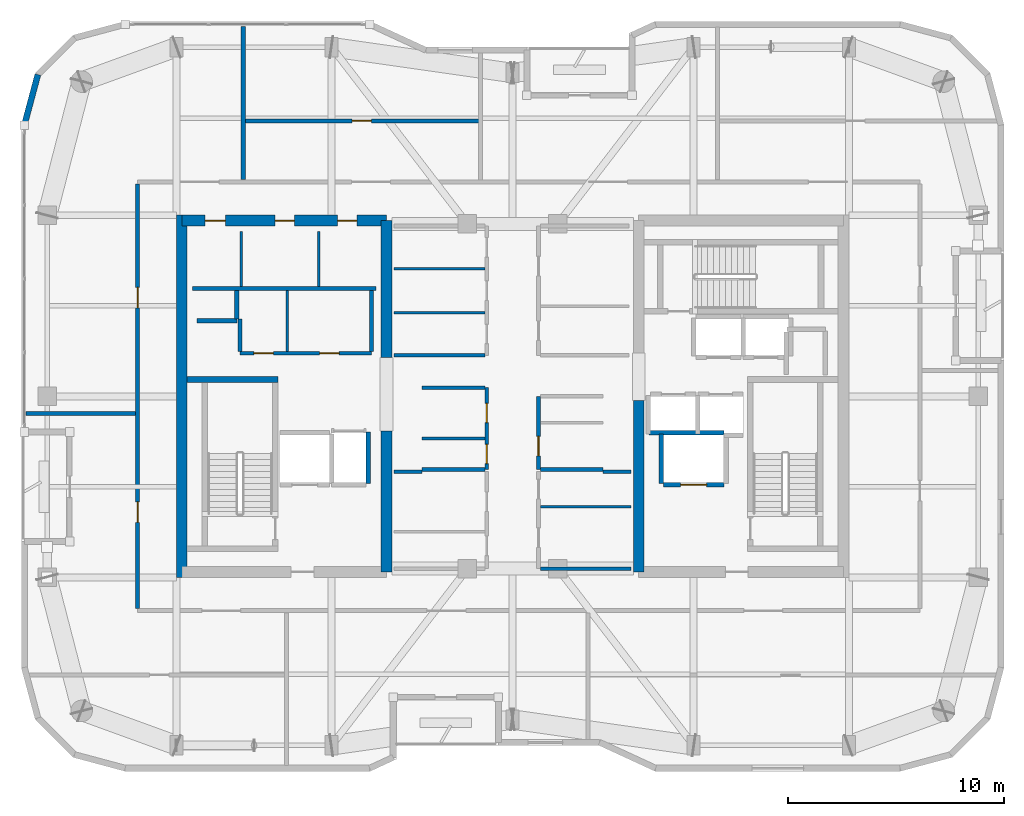
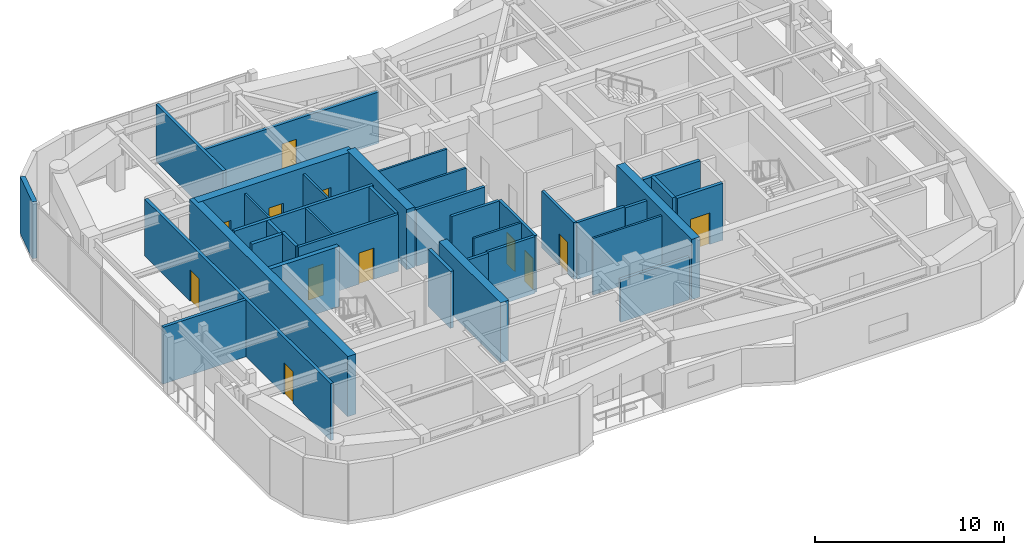
# One storey, part 11 of 16: 37 walls, 12 doors, 12 openings.
"""IFC4 building model written with IfcOpenShell, lengths in metres."""

from ifc_helpers import new_model, si_unit, direction, frame, frame_2d, origin, place, context, subcontext, project, spatial, rectangle, extrude, material, layer, layer_set, type_object, element, fill, save


model = new_model("IFC4")

# Units and contexts
model_context = context("Model", 3, precision=1e-05, world=origin(), true_north=direction((0.0, 1.0)))
body_context = subcontext(model_context, "Body", "Model", "MODEL_VIEW")
ifc_project = project(units=[si_unit("LENGTHUNIT", "METRE"), si_unit("AREAUNIT", "SQUARE_METRE"), si_unit("VOLUMEUNIT", "CUBIC_METRE"), si_unit("PLANEANGLEUNIT", "RADIAN"), si_unit("MASSUNIT", "GRAM", prefix="KILO")], contexts=[model_context])

# Site, building, storey
site_placement = place(None, origin())
site = spatial("IfcSite", under=ifc_project, at=site_placement, CompositionType="ELEMENT")
building_placement = place(site_placement, origin())
building = spatial("IfcBuilding", under=site, at=building_placement, Name="Kiyonajd Concourse Tower", CompositionType="ELEMENT")
storey_placement = place(building_placement, frame((0.0, 0.0, 325.800048828125)))
storey = spatial("IfcBuildingStorey", under=building, at=storey_placement, Name="L82", CompositionType="ELEMENT", Elevation=325.800048828125)

# Walls
ifc_material_1 = material(Name="Concrete C60/75", Category="concrete")
ifc_layer_1 = layer(ifc_material_1, 0.5)
ifc_layer_set_1 = layer_set([ifc_layer_1], Name="Concrete C60/75")
wall_type_1 = type_object("IfcWallType", Name="WL-CORE-500", PredefinedType="SHEAR", material=ifc_layer_set_1)
wall_1_placement = place(storey_placement, frame((32.64990234375, 27.60009765625, 0.0), z_axis=(0.0, 0.0, 1.0), x_axis=(0.0, 1.0, 0.0)))
element("IfcWall", 1, at=wall_1_placement, inside=storey, type_object=wall_type_1, Name="L82 West Core Outer Shear Wall", PredefinedType="SHEAR", context=body_context, shape_type="SweptSolid", body=[
    extrude(rectangle(XDim=16.7998046875, YDim=0.5, at=frame_2d((8.39990234375, 0.0))), origin(), (0.0, 0.0, 1.0), 3.89990234375),
])
wall_2_placement = place(storey_placement, frame((42.14990234375, 27.85009765625, 0.0), z_axis=(0.0, 0.0, 1.0), x_axis=(0.0, 1.0, 0.0)))
element("IfcWall", 2, at=wall_2_placement, inside=storey, type_object=wall_type_1, Name="L82 West Core Inner South Shear Wall", PredefinedType="SHEAR", context=body_context, shape_type="SweptSolid", body=[
    extrude(rectangle(XDim=6.5498046875, YDim=0.5, at=frame_2d((3.27490234375, 0.0))), origin(), (0.0, 0.0, 1.0), 3.89990234375),
])
wall_3_placement = place(storey_placement, frame((42.14990234375, 37.800048828125, 0.0), z_axis=(0.0, 0.0, 1.0), x_axis=(0.0, 1.0, 0.0)))
element("IfcWall", 3, at=wall_3_placement, inside=storey, type_object=wall_type_1, Name="L82 West Core Inner North Shear Wall", PredefinedType="SHEAR", context=body_context, shape_type="SweptSolid", body=[
    extrude(rectangle(XDim=6.349853515625, YDim=0.5, at=frame_2d((3.1748046875, 0.0))), origin(), (0.0, 0.0, 1.0), 3.89990234375),
])

# Wall, openings, doors
wall_4_placement = place(storey_placement, frame((32.64990234375, 44.14990234375, 0.0), z_axis=(0.0, 0.0, 1.0), x_axis=(1.0, 0.0, 0.0)))
wall_4 = element("IfcWall", 4, at=wall_4_placement, inside=storey, type_object=wall_type_1, Name="L82 West Core North Shear Wall", PredefinedType="SHEAR", context=body_context, shape_type="SweptSolid", body=[
    extrude(rectangle(XDim=9.5, YDim=0.5, at=frame_2d((4.75, 0.0))), origin(), (0.0, 0.0, 1.0), 3.89990234375),
])
opening_1_placement = place(wall_4_placement, frame((1.074951171875, 0.0, 0.0)))
opening_1 = element("IfcOpeningElement", 5, at=opening_1_placement, cuts=wall_4, Name="Opening DI1", PredefinedType="OPENING", context=body_context, shape_type="SweptSolid", body=[
    extrude(rectangle(XDim=0.949951171875, YDim=2.0400390625, at=frame_2d((0.47509765625, 1.02001953125))), frame((0.0, 0.260009765625, 0.0), z_axis=(0.0, -1.0, 0.0), x_axis=(1.0, 0.0, 0.0)), (0.0, 0.0, 1.0), 0.52001953125),
])
opening_2_placement = place(wall_4_placement, frame((4.324951171875, 0.0, 0.0)))
opening_2 = element("IfcOpeningElement", 6, at=opening_2_placement, cuts=wall_4, Name="Opening DI2", PredefinedType="OPENING", context=body_context, shape_type="SweptSolid", body=[
    extrude(rectangle(XDim=0.89990234375, YDim=2.02001953125, at=frame_2d((0.449951171875, 1.010009765625))), frame((0.0, 0.260009765625, 0.0), z_axis=(0.0, -1.0, 0.0), x_axis=(1.0, 0.0, 0.0)), (0.0, 0.0, 1.0), 0.52001953125),
])
opening_3_placement = place(wall_4_placement, frame((7.22509765625, 0.0, 0.0)))
opening_3 = element("IfcOpeningElement", 7, at=opening_3_placement, cuts=wall_4, Name="Opening DI2", PredefinedType="OPENING", context=body_context, shape_type="SweptSolid", body=[
    extrude(rectangle(XDim=0.89990234375, YDim=2.02001953125, at=frame_2d((0.449951171875, 1.010009765625))), frame((0.0, 0.260009765625, 0.0), z_axis=(0.0, -1.0, 0.0), x_axis=(1.0, 0.0, 0.0)), (0.0, 0.0, 1.0), 0.52001953125),
])
ifc_material_2 = material(Name="Natural Oak Acoustic Timber Veneer", Category="wood")
door_type_1 = type_object("IfcDoorType", Name="DR-INT-900", OperationType="NOTDEFINED", PredefinedType="DOOR", material=ifc_material_2)
door_1_placement = place(opening_2_placement, origin())
door_1 = element("IfcDoor", 8, at=door_1_placement, inside=storey, type_object=door_type_1, Name="L82 Male Restroom Door", OperationType="SINGLE_SWING_RIGHT", OverallHeight=2.02001953125, OverallWidth=0.89990234375, PredefinedType="DOOR", context=body_context, shape_type="SweptSolid", body=[
    extrude(rectangle(XDim=0.89990234375, YDim=2.02001953125, at=frame_2d((0.449951171875, 1.010009765625))), frame((0.0, 0.02490234375, 0.0), z_axis=(0.0, -1.0, 0.0), x_axis=(1.0, 0.0, 0.0)), (0.0, 0.0, 1.0), 0.050048828125),
])
fill(opening_2, door_1)
door_2_placement = place(opening_3_placement, origin())
door_2 = element("IfcDoor", 9, at=door_2_placement, inside=storey, type_object=door_type_1, Name="L82 Female Restroom Door", OperationType="SINGLE_SWING_LEFT", OverallHeight=2.02001953125, OverallWidth=0.89990234375, PredefinedType="DOOR", context=body_context, shape_type="SweptSolid", body=[
    extrude(rectangle(XDim=0.89990234375, YDim=2.02001953125, at=frame_2d((0.449951171875, 1.010009765625))), frame((0.0, 0.02490234375, 0.0), z_axis=(0.0, -1.0, 0.0), x_axis=(1.0, 0.0, 0.0)), (0.0, 0.0, 1.0), 0.050048828125),
])
fill(opening_3, door_2)
door_type_2 = type_object("IfcDoorType", Name="DR-INT-950", OperationType="NOTDEFINED", PredefinedType="DOOR", material=ifc_material_2)
door_3_placement = place(opening_1_placement, origin())
door_3 = element("IfcDoor", 10, at=door_3_placement, inside=storey, type_object=door_type_2, Name="L82 Single User Accessible WC Door", OperationType="SINGLE_SWING_LEFT", OverallHeight=2.0400390625, OverallWidth=0.949951171875, PredefinedType="DOOR", context=body_context, shape_type="SweptSolid", body=[
    extrude(rectangle(XDim=0.949951171875, YDim=2.0400390625, at=frame_2d((0.47509765625, 1.02001953125))), frame((0.0, 0.02490234375, 0.0), z_axis=(0.0, -1.0, 0.0), x_axis=(1.0, 0.0, 0.0)), (0.0, 0.0, 1.0), 0.050048828125),
])
fill(opening_1, door_3)

# Walls
wall_5_placement = place(storey_placement, frame((53.85009765625, 27.85009765625, 0.0), z_axis=(0.0, 0.0, 1.0), x_axis=(0.0, 1.0, 0.0)))
element("IfcWall", 11, at=wall_5_placement, inside=storey, type_object=wall_type_1, Name="L82 East Core Inner South Shear Wall", PredefinedType="SHEAR", context=body_context, shape_type="SweptSolid", body=[
    extrude(rectangle(XDim=7.949951171875, YDim=0.5, at=frame_2d((3.97509765625, 0.0))), origin(), (0.0, 0.0, 1.0), 3.89990234375),
])
ifc_material_3 = material(Name="Precast concrete C50/60", Category="concrete")
ifc_layer_2 = layer(ifc_material_3, 0.280029296875)
ifc_layer_set_2 = layer_set([ifc_layer_2], Name="Precast concrete C50/60")
wall_type_2 = type_object("IfcWallType", Name="WL-EXT-280", PredefinedType="SOLIDWALL", material=ifc_layer_set_2)
wall_6_placement = place(storey_placement, frame((25.340087890625, 48.58154296875, 0.0), z_axis=(0.0, 0.0, 1.0), x_axis=(0.258751159445, 0.965944013639, 0.0)))
element("IfcWall", 12, at=wall_6_placement, inside=storey, type_object=wall_type_2, Name="L82 Exterior Concrete Frame Wall 06", PredefinedType="SOLIDWALL", context=body_context, shape_type="SweptSolid", body=[
    extrude(rectangle(XDim=2.4287109375, YDim=0.280029296875, at=frame_2d((1.21435546875, 0.0))), origin(), (0.0, 0.0, 1.0), 3.679931640625),
])
ifc_material_4 = material(Name="Gypsum Board on Cold-Formed Steel Stud", Category="steel")
ifc_layer_3 = layer(ifc_material_4, 0.125)
ifc_layer_set_3 = layer_set([ifc_layer_3], Name="Gypsum Board on Cold-Formed Steel Stud")
wall_type_3 = type_object("IfcWallType", Name="WL-PART-125", PredefinedType="PARTITIONING", material=ifc_layer_set_3)
for number, where, z_axis, x_axis, name in (
    (13, (35.39990234375, 41.094970703125, 0.0), (0.0, 0.0, 1.0), (0.0, 1.0, 0.0), "L82 Interior Partition Wall"),
    (14, (39.0, 41.094970703125, 0.0), (0.0, 0.0, 1.0), (0.0, 1.0, 0.0), "L82 Interior Partition Wall"),
):
    element("IfcWall", number, at=place(storey_placement, frame(where, z_axis=z_axis, x_axis=x_axis)), inside=storey, type_object=wall_type_3, Name=name, PredefinedType="PARTITIONING", context=body_context, shape_type="SweptSolid", body=[
        extrude(rectangle(XDim=2.554931640625, YDim=0.125, at=frame_2d((1.27734375, 0.0))), origin(), (0.0, 0.0, 1.0), 3.679931640625),
    ])
wall_7_placement = place(storey_placement, frame((37.5458984375, 38.0869140625, 0.0), z_axis=(0.0, 0.0, 1.0), x_axis=(0.0, 1.0, 0.0)))
element("IfcWall", 15, at=wall_7_placement, inside=storey, type_object=wall_type_3, Name="L82 Interior Partition Wall", PredefinedType="PARTITIONING", context=body_context, shape_type="SweptSolid", body=[
    extrude(rectangle(XDim=2.81298828125, YDim=0.125, at=frame_2d((1.406494140625, 0.0))), origin(), (0.0, 0.0, 1.0), 3.679931640625),
])
wall_8_placement = place(storey_placement, frame((43.800048828125, 34.0439453125, 0.0), z_axis=(0.0, 0.0, 1.0), x_axis=(1.0, 0.0, 0.0)))
element("IfcWall", 16, at=wall_8_placement, inside=storey, type_object=wall_type_3, Name="L82 Interior Partition Wall", PredefinedType="PARTITIONING", context=body_context, shape_type="SweptSolid", body=[
    extrude(rectangle(XDim=2.912841796875, YDim=0.125, at=frame_2d((1.45654296875, 0.0))), origin(), (0.0, 0.0, 1.0), 3.679931640625),
])
for number, where, z_axis, x_axis, name in (
    (17, (49.287109375, 30.8798828125, 0.0), (0.0, 0.0, 1.0), (1.0, 0.0, 0.0), "L82 Interior Partition Wall"),
    (18, (42.5, 39.8798828125, 0.0), (0.0, 0.0, 1.0), (1.0, 0.0, 0.0), "L82 Interior Partition Wall"),
    (19, (42.5, 41.919921875, 0.0), (0.0, 0.0, 1.0), (1.0, 0.0, 0.0), "L82 Interior Partition Wall"),
):
    element("IfcWall", number, at=place(storey_placement, frame(where, z_axis=z_axis, x_axis=x_axis)), inside=storey, type_object=wall_type_3, Name=name, PredefinedType="PARTITIONING", context=body_context, shape_type="SweptSolid", body=[
        extrude(rectangle(XDim=4.212890625, YDim=0.125, at=frame_2d((2.1064453125, 0.0))), origin(), (0.0, 0.0, 1.0), 3.679931640625),
    ])
ifc_layer_4 = layer(ifc_material_4, 0.18994140625)
ifc_layer_set_4 = layer_set([ifc_layer_4], Name="Gypsum Board on Cold-Formed Steel Stud")
wall_type_4 = type_object("IfcWallType", Name="WL-PLMB-190", PredefinedType="PLUMBINGWALL", material=ifc_layer_set_4)
wall_9_placement = place(storey_placement, frame((33.14990234375, 41.0, 0.0), z_axis=(0.0, 0.0, 1.0), x_axis=(1.0, 0.0, 0.0)))
element("IfcWall", 20, at=wall_9_placement, inside=storey, type_object=wall_type_4, Name="L82 Interior Partition Wall", PredefinedType="PLUMBINGWALL", context=body_context, shape_type="SweptSolid", body=[
    extrude(rectangle(XDim=8.5, YDim=0.18994140625, at=frame_2d((4.25, 0.0))), origin(), (0.0, 0.0, 1.0), 3.679931640625),
])

# Wall, openings, doors
wall_10_placement = place(storey_placement, frame((30.60009765625, 26.14697265625, 0.0), z_axis=(0.0, 0.0, 1.0), x_axis=(0.0, 1.0, 0.0)))
wall_10 = element("IfcWall", 21, at=wall_10_placement, inside=storey, type_object=wall_type_4, Name="L82 Interior Partition Wall", PredefinedType="PLUMBINGWALL", context=body_context, shape_type="SweptSolid", body=[
    extrude(rectangle(XDim=19.7060546875, YDim=0.18994140625, at=frame_2d((9.85302734375, 0.0))), origin(), (0.0, 0.0, 1.0), 3.679931640625),
])
opening_4_placement = place(wall_10_placement, frame((4.0029296875, 0.0, 0.0)))
opening_4 = element("IfcOpeningElement", 22, at=opening_4_placement, cuts=wall_10, Name="Opening DI1", PredefinedType="OPENING", context=body_context, shape_type="SweptSolid", body=[
    extrude(rectangle(XDim=0.949951171875, YDim=2.0400390625, at=frame_2d((0.47509765625, 1.02001953125))), frame((0.0, 0.10498046875, 0.0), z_axis=(0.0, -1.0, 0.0), x_axis=(1.0, 0.0, 0.0)), (0.0, 0.0, 1.0), 0.2099609375),
])
opening_5_placement = place(wall_10_placement, frame((13.952880859375, 0.0, 0.0)))
opening_5 = element("IfcOpeningElement", 23, at=opening_5_placement, cuts=wall_10, Name="Opening DI1", PredefinedType="OPENING", context=body_context, shape_type="SweptSolid", body=[
    extrude(rectangle(XDim=0.949951171875, YDim=2.0400390625, at=frame_2d((0.47509765625, 1.02001953125))), frame((0.0, 0.10498046875, 0.0), z_axis=(0.0, -1.0, 0.0), x_axis=(1.0, 0.0, 0.0)), (0.0, 0.0, 1.0), 0.2099609375),
])
door_4_placement = place(opening_4_placement, origin())
door_4 = element("IfcDoor", 24, at=door_4_placement, inside=storey, type_object=door_type_2, Name="L82 Interior Door", OperationType="SINGLE_SWING_LEFT", OverallHeight=2.0400390625, OverallWidth=0.949951171875, PredefinedType="DOOR", context=body_context, shape_type="SweptSolid", body=[
    extrude(rectangle(XDim=0.949951171875, YDim=2.0400390625, at=frame_2d((0.47509765625, 1.02001953125))), frame((0.0, 0.02490234375, 0.0), z_axis=(0.0, -1.0, 0.0), x_axis=(1.0, 0.0, 0.0)), (0.0, 0.0, 1.0), 0.050048828125),
])
fill(opening_4, door_4)
door_5_placement = place(opening_5_placement, origin())
door_5 = element("IfcDoor", 25, at=door_5_placement, inside=storey, type_object=door_type_2, Name="L82 Interior Door", OperationType="SINGLE_SWING_RIGHT", OverallHeight=2.0400390625, OverallWidth=0.949951171875, PredefinedType="DOOR", context=body_context, shape_type="SweptSolid", body=[
    extrude(rectangle(XDim=0.949951171875, YDim=2.0400390625, at=frame_2d((0.47509765625, 1.02001953125))), frame((0.0, 0.02490234375, 0.0), z_axis=(0.0, -1.0, 0.0), x_axis=(1.0, 0.0, 0.0)), (0.0, 0.0, 1.0), 0.050048828125),
])
fill(opening_5, door_5)

# Wall, opening, door
wall_11_placement = place(storey_placement, frame((35.5, 48.780029296875, 0.0), z_axis=(0.0, 0.0, 1.0), x_axis=(1.0, 0.0, 0.0)))
wall_11 = element("IfcWall", 26, at=wall_11_placement, inside=storey, type_object=wall_type_4, Name="L82 Interior Partition Wall", PredefinedType="PLUMBINGWALL", context=body_context, shape_type="SweptSolid", body=[
    extrude(rectangle(XDim=11.0, YDim=0.18994140625, at=frame_2d((5.5, 0.0))), origin(), (0.0, 0.0, 1.0), 3.31103515625),
])
opening_6_placement = place(wall_11_placement, frame((5.050048828125, 0.0, 0.0)))
opening_6 = element("IfcOpeningElement", 27, at=opening_6_placement, cuts=wall_11, Name="Opening DI2", PredefinedType="OPENING", context=body_context, shape_type="SweptSolid", body=[
    extrude(rectangle(XDim=0.89990234375, YDim=2.02001953125, at=frame_2d((0.449951171875, 1.010009765625))), frame((0.0, 0.10498046875, 0.0), z_axis=(0.0, -1.0, 0.0), x_axis=(1.0, 0.0, 0.0)), (0.0, 0.0, 1.0), 0.2099609375),
])
door_6_placement = place(opening_6_placement, origin())
door_6 = element("IfcDoor", 28, at=door_6_placement, inside=storey, type_object=door_type_1, Name="L82 Interior Door", OperationType="SINGLE_SWING_LEFT", OverallHeight=2.02001953125, OverallWidth=0.89990234375, PredefinedType="DOOR", context=body_context, shape_type="SweptSolid", body=[
    extrude(rectangle(XDim=0.89990234375, YDim=2.02001953125, at=frame_2d((0.449951171875, 1.010009765625))), frame((0.0, 0.02490234375, 0.0), z_axis=(0.0, -1.0, 0.0), x_axis=(1.0, 0.0, 0.0)), (0.0, 0.0, 1.0), 0.050048828125),
])
fill(opening_6, door_6)

# Walls
wall_12_placement = place(storey_placement, frame((35.5, 46.047119140625, 0.0), z_axis=(0.0, 0.0, 1.0), x_axis=(0.0, 1.0, 0.0)))
element("IfcWall", 29, at=wall_12_placement, inside=storey, type_object=wall_type_4, Name="L82 Interior Partition Wall", PredefinedType="PLUMBINGWALL", context=body_context, shape_type="SweptSolid", body=[
    extrude(rectangle(XDim=7.117919921875, YDim=0.18994140625, at=frame_2d((3.55908203125, 0.0))), origin(), (0.0, 0.0, 1.0), 3.679931640625),
])
wall_13_placement = place(storey_placement, frame((25.425048828125, 35.199951171875, 0.0), z_axis=(0.0, 0.0, 1.0), x_axis=(1.0, 0.0, 0.0)))
element("IfcWall", 30, at=wall_13_placement, inside=storey, type_object=wall_type_4, Name="L82 Interior Partition Wall", PredefinedType="PLUMBINGWALL", context=body_context, shape_type="SweptSolid", body=[
    extrude(rectangle(XDim=5.077880859375, YDim=0.18994140625, at=frame_2d((2.5390625, 0.0))), origin(), (0.0, 0.0, 1.0), 3.679931640625),
])
ifc_layer_5 = layer(ifc_material_4, 0.2099609375)
ifc_layer_set_5 = layer_set([ifc_layer_5], Name="Gypsum Board on Cold-Formed Steel Stud")
wall_type_5 = type_object("IfcWallType", Name="WL-SHAFT-210", PredefinedType="PARTITIONING", material=ifc_layer_set_5)
wall_14_placement = place(storey_placement, frame((33.360107421875, 39.5, 0.0), z_axis=(0.0, 0.0, 1.0), x_axis=(1.0, 0.0, 0.0)))
element("IfcWall", 31, at=wall_14_placement, inside=storey, type_object=wall_type_5, Name="L82 Shaft Enclosure Wall", PredefinedType="PARTITIONING", context=body_context, shape_type="SweptSolid", body=[
    extrude(rectangle(XDim=1.85986328125, YDim=0.2099609375, at=frame_2d((0.929931640625, 0.0))), origin(), (0.0, 0.0, 1.0), 3.679931640625),
])
wall_15_placement = place(storey_placement, frame((35.199951171875, 39.580078125, 0.0), z_axis=(0.0, 0.0, 1.0), x_axis=(0.0, 1.0, 0.0)))
element("IfcWall", 32, at=wall_15_placement, inside=storey, type_object=wall_type_5, Name="L82 Shaft Enclosure Wall", PredefinedType="PARTITIONING", context=body_context, shape_type="SweptSolid", body=[
    extrude(rectangle(XDim=1.31982421875, YDim=0.2099609375, at=frame_2d((0.659912109375, 0.0))), origin(), (0.0, 0.0, 1.0), 3.679931640625),
])

# Wall, opening, door
wall_16_placement = place(storey_placement, frame((55.0, 31.89990234375, 0.0), z_axis=(0.0, 0.0, 1.0), x_axis=(1.0, 0.0, 0.0)))
wall_16 = element("IfcWall", 33, at=wall_16_placement, inside=storey, type_object=wall_type_5, Name="L82 Shaft Enclosure Wall", PredefinedType="PARTITIONING", context=body_context, shape_type="SweptSolid", body=[
    extrude(rectangle(XDim=2.800048828125, YDim=0.2099609375, at=frame_2d((1.39990234375, 0.0))), origin(), (0.0, 0.0, 1.0), 3.679931640625),
])
opening_7_placement = place(wall_16_placement, frame((0.800048828125, 0.0, 0.0)))
opening_7 = element("IfcOpeningElement", 34, at=opening_7_placement, cuts=wall_16, Name="Opening LD2", PredefinedType="OPENING", context=body_context, shape_type="SweptSolid", body=[
    extrude(rectangle(XDim=1.199951171875, YDim=2.0400390625, at=frame_2d((0.60009765625, 1.02001953125))), frame((0.0, 0.114990234375, 0.0), z_axis=(0.0, -1.0, 0.0), x_axis=(1.0, 0.0, 0.0)), (0.0, 0.0, 1.0), 0.22998046875),
])
ifc_material_5 = material(Name="Brushed Stainless Steel Cab Assembly", Category="steel")
door_type_3 = type_object("IfcDoorType", Name="DR-LD-1200", OperationType="DOUBLE_DOOR_SLIDING", PredefinedType="DOOR", material=ifc_material_5)
door_7_placement = place(opening_7_placement, origin())
door_7 = element("IfcDoor", 35, at=door_7_placement, inside=storey, type_object=door_type_3, Name="L82 Lift FFL2 Sliding Landing Door", OperationType="DOUBLE_DOOR_SLIDING", OverallHeight=2.0400390625, OverallWidth=1.199951171875, PredefinedType="DOOR", context=body_context, shape_type="SweptSolid", body=[
    extrude(rectangle(XDim=1.199951171875, YDim=2.0400390625, at=frame_2d((0.60009765625, 1.02001953125))), frame((0.0, 0.02490234375, 0.0), z_axis=(0.0, -1.0, 0.0), x_axis=(1.0, 0.0, 0.0)), (0.0, 0.0, 1.0), 0.050048828125),
])
fill(opening_7, door_7)

# Walls
wall_17_placement = place(storey_placement, frame((54.320068359375, 34.300048828125, 0.0), z_axis=(0.0, 0.0, 1.0), x_axis=(1.0, 0.0, 0.0)))
element("IfcWall", 36, at=wall_17_placement, inside=storey, type_object=wall_type_5, Name="L82 Shaft Enclosure Wall", PredefinedType="PARTITIONING", context=body_context, shape_type="SweptSolid", body=[
    extrude(rectangle(XDim=3.47998046875, YDim=0.2099609375, at=frame_2d((1.739990234375, 0.0))), origin(), (0.0, 0.0, 1.0), 3.679931640625),
])
wall_18_placement = place(storey_placement, frame((54.89990234375, 31.9599609375, 0.0), z_axis=(0.0, 0.0, 1.0), x_axis=(0.0, 1.0, 0.0)))
element("IfcWall", 37, at=wall_18_placement, inside=storey, type_object=wall_type_5, Name="L82 Shaft Enclosure Wall", PredefinedType="PARTITIONING", context=body_context, shape_type="SweptSolid", body=[
    extrude(rectangle(XDim=2.280029296875, YDim=0.2099609375, at=frame_2d((1.14013671875, 0.0))), origin(), (0.0, 0.0, 1.0), 3.679931640625),
])
wall_19_placement = place(storey_placement, frame((41.300048828125, 31.9599609375, 0.0), z_axis=(0.0, 0.0, 1.0), x_axis=(0.0, 1.0, 0.0)))
element("IfcWall", 38, at=wall_19_placement, inside=storey, type_object=wall_type_5, Name="L82 Shaft Enclosure Wall", PredefinedType="PARTITIONING", context=body_context, shape_type="SweptSolid", body=[
    extrude(rectangle(XDim=2.380126953125, YDim=0.2099609375, at=frame_2d((1.18994140625, 0.0))), origin(), (0.0, 0.0, 1.0), 3.679931640625),
])

# Wall, openings, doors
ifc_layer_6 = layer(ifc_material_4, 0.169921875)
ifc_layer_set_6 = layer_set([ifc_layer_6], Name="Gypsum Board on Cold-Formed Steel Stud")
wall_type_6 = type_object("IfcWallType", Name="WL-SMK-170", PredefinedType="PARTITIONING", material=ifc_layer_set_6)
wall_20_placement = place(storey_placement, frame((35.35009765625, 38.0, 0.0), z_axis=(0.0, 0.0, 1.0), x_axis=(1.0, 0.0, 0.0)))
wall_20 = element("IfcWall", 39, at=wall_20_placement, inside=storey, type_object=wall_type_6, Name="L82 Interior Partition Wall", PredefinedType="PARTITIONING", context=body_context, shape_type="SweptSolid", body=[
    extrude(rectangle(XDim=6.099853515625, YDim=0.169921875, at=frame_2d((3.0498046875, 0.0))), origin(), (0.0, 0.0, 1.0), 3.679931640625),
])
opening_8_placement = place(wall_20_placement, frame((0.64794921875, 0.0, 0.0)))
opening_8 = element("IfcOpeningElement", 40, at=opening_8_placement, cuts=wall_20, Name="Opening DI2", PredefinedType="OPENING", context=body_context, shape_type="SweptSolid", body=[
    extrude(rectangle(XDim=0.89990234375, YDim=2.02001953125, at=frame_2d((0.449951171875, 1.010009765625))), frame((0.0, 0.094970703125, 0.0), z_axis=(0.0, -1.0, 0.0), x_axis=(1.0, 0.0, 0.0)), (0.0, 0.0, 1.0), 0.18994140625),
])
opening_9_placement = place(wall_20_placement, frame((3.697998046875, 0.0, 0.0)))
opening_9 = element("IfcOpeningElement", 41, at=opening_9_placement, cuts=wall_20, Name="Opening DI2", PredefinedType="OPENING", context=body_context, shape_type="SweptSolid", body=[
    extrude(rectangle(XDim=0.89990234375, YDim=2.02001953125, at=frame_2d((0.449951171875, 1.010009765625))), frame((0.0, 0.094970703125, 0.0), z_axis=(0.0, -1.0, 0.0), x_axis=(1.0, 0.0, 0.0)), (0.0, 0.0, 1.0), 0.18994140625),
])
door_8_placement = place(opening_8_placement, origin())
door_8 = element("IfcDoor", 42, at=door_8_placement, inside=storey, type_object=door_type_1, Name="L82 Interior Door", OperationType="SINGLE_SWING_LEFT", OverallHeight=2.02001953125, OverallWidth=0.89990234375, PredefinedType="DOOR", context=body_context, shape_type="SweptSolid", body=[
    extrude(rectangle(XDim=0.89990234375, YDim=2.02001953125, at=frame_2d((0.449951171875, 1.010009765625))), frame((0.0, 0.02490234375, 0.0), z_axis=(0.0, -1.0, 0.0), x_axis=(1.0, 0.0, 0.0)), (0.0, 0.0, 1.0), 0.050048828125),
])
fill(opening_8, door_8)
door_9_placement = place(opening_9_placement, origin())
door_9 = element("IfcDoor", 43, at=door_9_placement, inside=storey, type_object=door_type_1, Name="L82 Interior Door", OperationType="SINGLE_SWING_RIGHT", OverallHeight=2.02001953125, OverallWidth=0.89990234375, PredefinedType="DOOR", context=body_context, shape_type="SweptSolid", body=[
    extrude(rectangle(XDim=0.89990234375, YDim=2.02001953125, at=frame_2d((0.449951171875, 1.010009765625))), frame((0.0, 0.02490234375, 0.0), z_axis=(0.0, -1.0, 0.0), x_axis=(1.0, 0.0, 0.0)), (0.0, 0.0, 1.0), 0.050048828125),
])
fill(opening_9, door_9)

# Walls
wall_21_placement = place(storey_placement, frame((35.35009765625, 38.0869140625, 0.0), z_axis=(0.0, 0.0, 1.0), x_axis=(0.0, 1.0, 0.0)))
element("IfcWall", 44, at=wall_21_placement, inside=storey, type_object=wall_type_6, Name="L82 Interior Partition Wall", PredefinedType="PARTITIONING", context=body_context, shape_type="SweptSolid", body=[
    extrude(rectangle(XDim=1.4931640625, YDim=0.169921875, at=frame_2d((0.74658203125, 0.0))), origin(), (0.0, 0.0, 1.0), 3.679931640625),
])
wall_22_placement = place(storey_placement, frame((41.449951171875, 38.0869140625, 0.0), z_axis=(0.0, 0.0, 1.0), x_axis=(0.0, 1.0, 0.0)))
element("IfcWall", 45, at=wall_22_placement, inside=storey, type_object=wall_type_6, Name="L82 Interior Partition Wall", PredefinedType="PARTITIONING", context=body_context, shape_type="SweptSolid", body=[
    extrude(rectangle(XDim=2.81298828125, YDim=0.169921875, at=frame_2d((1.406494140625, 0.0))), origin(), (0.0, 0.0, 1.0), 3.679931640625),
])

# Wall, openings, doors
wall_23_placement = place(storey_placement, frame((46.800048828125, 32.60009765625, 0.0), z_axis=(0.0, 0.0, 1.0), x_axis=(0.0, 1.0, 0.0)))
wall_23 = element("IfcWall", 46, at=wall_23_placement, inside=storey, type_object=wall_type_6, Name="L82 Interior Partition Wall", PredefinedType="PARTITIONING", context=body_context, shape_type="SweptSolid", body=[
    extrude(rectangle(XDim=3.7998046875, YDim=0.169921875, at=frame_2d((1.89990234375, 0.0))), origin(), (0.0, 0.0, 1.0), 3.679931640625),
])
opening_10_placement = place(wall_23_placement, frame((0.27197265625, 0.0, 0.0)))
opening_10 = element("IfcOpeningElement", 47, at=opening_10_placement, cuts=wall_23, Name="Opening DI2", PredefinedType="OPENING", context=body_context, shape_type="SweptSolid", body=[
    extrude(rectangle(XDim=0.89990234375, YDim=2.02001953125, at=frame_2d((0.449951171875, 1.010009765625))), frame((0.0, 0.094970703125, 0.0), z_axis=(0.0, -1.0, 0.0), x_axis=(1.0, 0.0, 0.0)), (0.0, 0.0, 1.0), 0.18994140625),
])
opening_11_placement = place(wall_23_placement, frame((2.172119140625, 0.0, 0.0)))
opening_11 = element("IfcOpeningElement", 48, at=opening_11_placement, cuts=wall_23, Name="Opening DI2", PredefinedType="OPENING", context=body_context, shape_type="SweptSolid", body=[
    extrude(rectangle(XDim=0.89990234375, YDim=2.02001953125, at=frame_2d((0.449951171875, 1.010009765625))), frame((0.0, 0.094970703125, 0.0), z_axis=(0.0, -1.0, 0.0), x_axis=(1.0, 0.0, 0.0)), (0.0, 0.0, 1.0), 0.18994140625),
])
door_10_placement = place(opening_10_placement, origin())
door_10 = element("IfcDoor", 49, at=door_10_placement, inside=storey, type_object=door_type_1, Name="L82 Interior Door", OperationType="SINGLE_SWING_LEFT", OverallHeight=2.02001953125, OverallWidth=0.89990234375, PredefinedType="DOOR", context=body_context, shape_type="SweptSolid", body=[
    extrude(rectangle(XDim=0.89990234375, YDim=2.02001953125, at=frame_2d((0.449951171875, 1.010009765625))), frame((0.0, 0.02490234375, 0.0), z_axis=(0.0, -1.0, 0.0), x_axis=(1.0, 0.0, 0.0)), (0.0, 0.0, 1.0), 0.050048828125),
])
fill(opening_10, door_10)
door_11_placement = place(opening_11_placement, origin())
door_11 = element("IfcDoor", 50, at=door_11_placement, inside=storey, type_object=door_type_1, Name="L82 Interior Door", OperationType="SINGLE_SWING_RIGHT", OverallHeight=2.02001953125, OverallWidth=0.89990234375, PredefinedType="DOOR", context=body_context, shape_type="SweptSolid", body=[
    extrude(rectangle(XDim=0.89990234375, YDim=2.02001953125, at=frame_2d((0.449951171875, 1.010009765625))), frame((0.0, 0.02490234375, 0.0), z_axis=(0.0, -1.0, 0.0), x_axis=(1.0, 0.0, 0.0)), (0.0, 0.0, 1.0), 0.050048828125),
])
fill(opening_11, door_11)

# Walls
for number, where, z_axis, x_axis, name in (
    (51, (43.800048828125, 32.60009765625, 0.0), (0.0, 0.0, 1.0), (1.0, 0.0, 0.0), "L82 Interior Partition Wall"),
    (52, (43.800048828125, 36.39990234375, 0.0), (0.0, 0.0, 1.0), (1.0, 0.0, 0.0), "L82 Interior Partition Wall"),
):
    element("IfcWall", number, at=place(storey_placement, frame(where, z_axis=z_axis, x_axis=x_axis)), inside=storey, type_object=wall_type_6, Name=name, PredefinedType="PARTITIONING", context=body_context, shape_type="SweptSolid", body=[
        extrude(rectangle(XDim=2.912841796875, YDim=0.169921875, at=frame_2d((1.45654296875, 0.0))), origin(), (0.0, 0.0, 1.0), 3.679931640625),
    ])

# Wall, opening, door
wall_24_placement = place(storey_placement, frame((49.199951171875, 32.60009765625, 0.0), z_axis=(0.0, 0.0, 1.0), x_axis=(0.0, 1.0, 0.0)))
wall_24 = element("IfcWall", 53, at=wall_24_placement, inside=storey, type_object=wall_type_6, Name="L82 Interior Partition Wall", PredefinedType="PARTITIONING", context=body_context, shape_type="SweptSolid", body=[
    extrude(rectangle(XDim=3.39990234375, YDim=0.169921875, at=frame_2d((1.699951171875, 0.0))), origin(), (0.0, 0.0, 1.0), 3.679931640625),
])
opening_12_placement = place(wall_24_placement, frame((0.637939453125, 0.0, 0.0)))
opening_12 = element("IfcOpeningElement", 54, at=opening_12_placement, cuts=wall_24, Name="Opening DF4", PredefinedType="OPENING", context=body_context, shape_type="SweptSolid", body=[
    extrude(rectangle(XDim=0.89990234375, YDim=2.02001953125, at=frame_2d((0.449951171875, 1.010009765625))), frame((0.0, 0.094970703125, 0.0), z_axis=(0.0, -1.0, 0.0), x_axis=(1.0, 0.0, 0.0)), (0.0, 0.0, 1.0), 0.18994140625),
])
door_type_4 = type_object("IfcDoorType", Name="DR-FD60-900", OperationType="NOTDEFINED", PredefinedType="DOOR", material=ifc_material_5)
door_12_placement = place(opening_12_placement, origin())
door_12 = element("IfcDoor", 55, at=door_12_placement, inside=storey, type_object=door_type_4, Name="L82 Interior Door", OperationType="SINGLE_SWING_LEFT", OverallHeight=2.02001953125, OverallWidth=0.89990234375, PredefinedType="DOOR", context=body_context, shape_type="SweptSolid", body=[
    extrude(rectangle(XDim=0.89990234375, YDim=2.02001953125, at=frame_2d((0.449951171875, 1.010009765625))), frame((0.0, 0.02490234375, 0.0), z_axis=(0.0, -1.0, 0.0), x_axis=(1.0, 0.0, 0.0)), (0.0, 0.0, 1.0), 0.050048828125),
])
fill(opening_12, door_12)

# Walls
wall_25_placement = place(storey_placement, frame((49.287109375, 32.60009765625, 0.0), z_axis=(0.0, 0.0, 1.0), x_axis=(1.0, 0.0, 0.0)))
element("IfcWall", 56, at=wall_25_placement, inside=storey, type_object=wall_type_6, Name="L82 Interior Partition Wall", PredefinedType="PARTITIONING", context=body_context, shape_type="SweptSolid", body=[
    extrude(rectangle(XDim=2.912841796875, YDim=0.169921875, at=frame_2d((1.45654296875, 0.0))), origin(), (0.0, 0.0, 1.0), 3.679931640625),
])
wall_26_placement = place(storey_placement, frame((42.5, 32.5, 0.0), z_axis=(0.0, 0.0, 1.0), x_axis=(1.0, 0.0, 0.0)))
element("IfcWall", 57, at=wall_26_placement, inside=storey, type_object=wall_type_6, Name="L82 Interior Partition Wall", PredefinedType="PARTITIONING", context=body_context, shape_type="SweptSolid", body=[
    extrude(rectangle(XDim=1.300048828125, YDim=0.169921875, at=frame_2d((0.64990234375, 0.0))), origin(), (0.0, 0.0, 1.0), 3.679931640625),
])
wall_27_placement = place(storey_placement, frame((49.287109375, 28.0, 0.0), z_axis=(0.0, 0.0, 1.0), x_axis=(1.0, 0.0, 0.0)))
element("IfcWall", 58, at=wall_27_placement, inside=storey, type_object=wall_type_6, Name="L82 Interior Partition Wall", PredefinedType="PARTITIONING", context=body_context, shape_type="SweptSolid", body=[
    extrude(rectangle(XDim=4.212890625, YDim=0.169921875, at=frame_2d((2.1064453125, 0.0))), origin(), (0.0, 0.0, 1.0), 2.764892578125),
])
wall_28_placement = place(storey_placement, frame((52.199951171875, 32.5, 0.0), z_axis=(0.0, 0.0, 1.0), x_axis=(1.0, 0.0, 0.0)))
element("IfcWall", 59, at=wall_28_placement, inside=storey, type_object=wall_type_6, Name="L82 Interior Partition Wall", PredefinedType="PARTITIONING", context=body_context, shape_type="SweptSolid", body=[
    extrude(rectangle(XDim=1.300048828125, YDim=0.169921875, at=frame_2d((0.64990234375, 0.0))), origin(), (0.0, 0.0, 1.0), 3.679931640625),
])
wall_29_placement = place(storey_placement, frame((42.5, 37.89990234375, 0.0), z_axis=(0.0, 0.0, 1.0), x_axis=(1.0, 0.0, 0.0)))
element("IfcWall", 60, at=wall_29_placement, inside=storey, type_object=wall_type_6, Name="L82 Interior Partition Wall", PredefinedType="PARTITIONING", context=body_context, shape_type="SweptSolid", body=[
    extrude(rectangle(XDim=4.212890625, YDim=0.169921875, at=frame_2d((2.1064453125, 0.0))), origin(), (0.0, 0.0, 1.0), 3.679931640625),
])
ifc_material_6 = material(Name="Concrete C50/60", Category="concrete")
ifc_layer_7 = layer(ifc_material_6, 0.260009765625)
ifc_layer_set_7 = layer_set([ifc_layer_7], Name="Concrete C50/60")
wall_type_7 = type_object("IfcWallType", Name="WL-STAIR-260", PredefinedType="SHEAR", material=ifc_layer_set_7)
wall_30_placement = place(storey_placement, frame((32.89990234375, 36.780029296875, 0.0), z_axis=(0.0, 0.0, 1.0), x_axis=(1.0, 0.0, 0.0)))
element("IfcWall", 61, at=wall_30_placement, inside=storey, type_object=wall_type_7, Name="L82 Stair ST1 Structural North Wall", PredefinedType="SHEAR", context=body_context, shape_type="SweptSolid", body=[
    extrude(rectangle(XDim=4.210205078125, YDim=0.260009765625, at=frame_2d((2.10498046875, 0.0))), origin(), (0.0, 0.0, 1.0), 3.89990234375),
])

save(model, "model.ifc")
